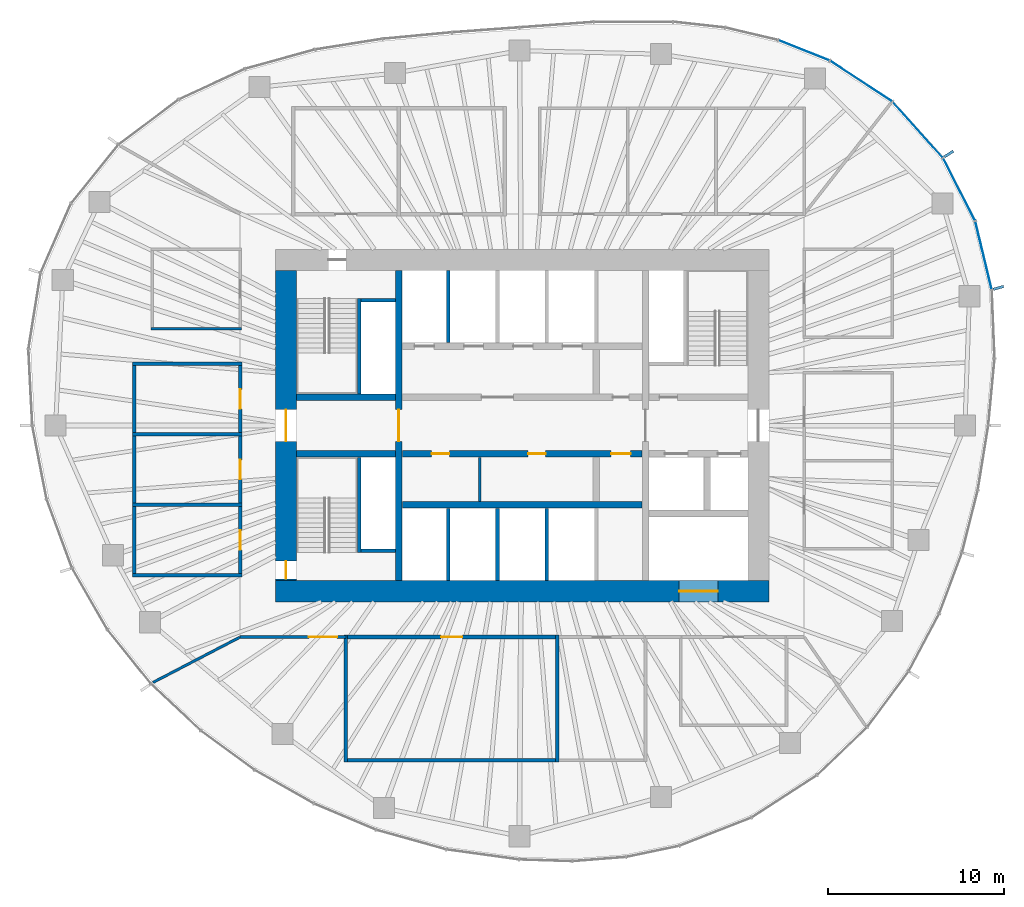
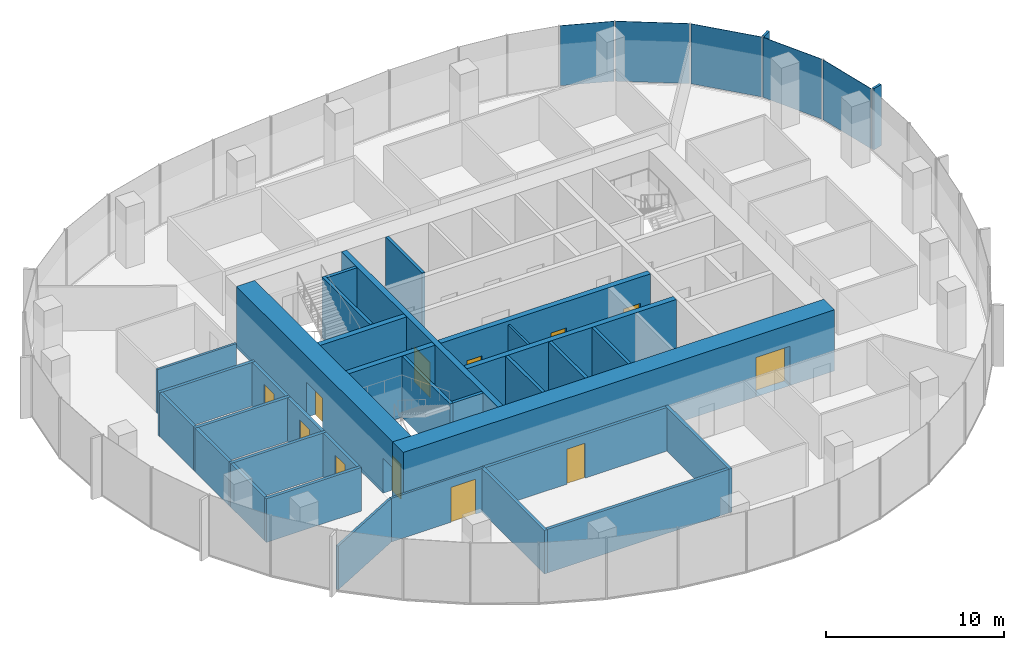
# One storey, part 8 of 11: 33 walls, 12 doors, 7 plates, 12 openings, 3 elements without a shape of their own.
"""IFC4 building model written with IfcOpenShell, lengths in metres."""

from ifc_helpers import new_model, si_unit, direction, frame, frame_2d, origin, origin_2d, place, context, subcontext, project, spatial, rectangle, extrude, material, layer, layer_set, type_object, element, fill, aggregate, save


model = new_model("IFC4")

# Units and contexts
model_context = context("Model", 3, precision=1e-05, world=origin(), true_north=direction((0.0, 1.0)))
body_context = subcontext(model_context, "Body", "Model", "MODEL_VIEW")
ifc_project = project(units=[si_unit("LENGTHUNIT", "METRE"), si_unit("AREAUNIT", "SQUARE_METRE"), si_unit("VOLUMEUNIT", "CUBIC_METRE"), si_unit("PLANEANGLEUNIT", "RADIAN"), si_unit("MASSUNIT", "GRAM", prefix="KILO")], contexts=[model_context])

# Site, building, storey
site_placement = place(None, origin())
site = spatial("IfcSite", under=ifc_project, at=site_placement, CompositionType="ELEMENT")
building_placement = place(site_placement, origin())
building = spatial("IfcBuilding", under=site, at=building_placement, Name="Ghaith Harvest Tower", CompositionType="ELEMENT")
storey_placement = place(building_placement, frame((0.0, 0.0, 245.199951171875)))
storey = spatial("IfcBuildingStorey", under=building, at=storey_placement, Name="L54", CompositionType="ELEMENT", Elevation=245.199951171875)

# Curtain wall, plates
ifc_material_1 = material(Name="Black anodised aluminium and fritted glass", Category="aluminium")
curtain_wall_type = type_object("IfcCurtainWallType", Name="CW-H CURTAIN WALL", PredefinedType="NOTDEFINED", material=ifc_material_1)
curtain_wall_1_placement = place(storey_placement, origin())
curtain_wall_1 = element("IfcCurtainWall", 1, at=curtain_wall_1_placement, inside=storey, type_object=curtain_wall_type, Name="Curtain wall CW-H bay 02 L54", PredefinedType="NOTDEFINED")
ifc_material_2 = material(Name="Glass, dark solar-control fritted double glazed unit", Category="glass")
ifc_layer_1 = layer(ifc_material_2, 0.030029296875)
ifc_layer_set_1 = layer_set([ifc_layer_1], Name="CW-H VISION PANEL")
plate_type_1 = type_object("IfcPlateType", Name="CW-H VISION PANEL", PredefinedType="CURTAIN_PANEL", material=ifc_layer_set_1)
plate_1_placement = place(storey_placement, frame((26.1767578125, 9.6533203125, 0.080078125), z_axis=(0.0, 0.0, 1.0), x_axis=(-0.233894000303, 0.972262102842, 0.0)))
plate_1 = element("IfcPlate", 2, at=plate_1_placement, type_object=plate_type_1, Name="CW-H glass unit 1 bay 02 L54", PredefinedType="CURTAIN_PANEL", context=body_context, shape_type="SweptSolid", body=[
    extrude(rectangle(XDim=3.935546875, YDim=0.030029296875, at=origin_2d()), origin(), (0.0, 0.0, 1.0), 4.1201171875),
])
plate_2_placement = place(storey_placement, frame((24.790771484375, 13.399658203125, 0.080078125), z_axis=(0.0, 0.0, 1.0), x_axis=(-0.454915320985, 0.890534699342, 0.0)))
plate_2 = element("IfcPlate", 3, at=plate_2_placement, type_object=plate_type_1, Name="CW-H glass unit 2 bay 02 L54", PredefinedType="CURTAIN_PANEL", context=body_context, shape_type="SweptSolid", body=[
    extrude(rectangle(XDim=3.949462890625, YDim=0.030029296875, at=origin_2d()), origin(), (0.0, 0.0, 1.0), 4.1201171875),
])
aggregate(curtain_wall_1, [plate_1, plate_2])

curtain_wall_2_placement = place(storey_placement, origin())
curtain_wall_2 = element("IfcCurtainWall", 4, at=curtain_wall_2_placement, inside=storey, type_object=curtain_wall_type, Name="Curtain wall CW-H bay 03 L54", PredefinedType="NOTDEFINED")
plate_3_placement = place(storey_placement, frame((22.44384765625, 16.783935546875, 0.080078125), z_axis=(0.0, 0.0, 1.0), x_axis=(-0.668757736889, 0.743480389352, 0.0)))
plate_3 = element("IfcPlate", 5, at=plate_3_placement, type_object=plate_type_1, Name="CW-H glass unit 1 bay 03 L54", PredefinedType="CURTAIN_PANEL", context=body_context, shape_type="SweptSolid", body=[
    extrude(rectangle(XDim=4.19775390625, YDim=0.030029296875, at=origin_2d()), origin(), (0.0, 0.0, 1.0), 4.1201171875),
])
plate_4_placement = place(storey_placement, frame((19.236328125, 19.539306640625, 0.080078125), z_axis=(0.0, 0.0, 1.0), x_axis=(-0.836276741583, 0.548307588392, 0.0)))
plate_4 = element("IfcPlate", 6, at=plate_4_placement, type_object=plate_type_1, Name="CW-H glass unit 2 bay 03 L54", PredefinedType="CURTAIN_PANEL", context=body_context, shape_type="SweptSolid", body=[
    extrude(rectangle(XDim=4.169677734375, YDim=0.030029296875, at=origin_2d()), origin(), (0.0, 0.0, 1.0), 4.1201171875),
])
aggregate(curtain_wall_2, [plate_3, plate_4])

# Curtain wall, plate
curtain_wall_3_placement = place(storey_placement, origin())
curtain_wall_3 = element("IfcCurtainWall", 7, at=curtain_wall_3_placement, inside=storey, type_object=curtain_wall_type, Name="Curtain wall CW-H bay 04 L54", PredefinedType="NOTDEFINED")
plate_5_placement = place(storey_placement, frame((15.993408203125, 21.287841796875, 0.080078125), z_axis=(0.0, 0.0, 1.0), x_axis=(-0.929107322045, 0.369810200133, 0.0)))
plate_5 = element("IfcPlate", 8, at=plate_5_placement, type_object=plate_type_1, Name="CW-H glass unit 1 bay 04 L54", PredefinedType="CURTAIN_PANEL", context=body_context, shape_type="SweptSolid", body=[
    extrude(rectangle(XDim=3.075927734375, YDim=0.030029296875, at=origin_2d()), origin(), (0.0, 0.0, 1.0), 4.1201171875),
])
aggregate(curtain_wall_3, [plate_5])

# Plates
ifc_material_3 = material(Name="Glassfibre-reinforced concrete", Category="concrete")
ifc_layer_2 = layer(ifc_material_3, 0.14990234375)
ifc_layer_set_2 = layer_set([ifc_layer_2], Name="SUN-BREAKER FIN 600x150")
plate_type_2 = type_object("IfcPlateType", Name="SUN-BREAKER FIN 600x150", PredefinedType="USERDEFINED", material=ifc_layer_set_2)
for number, where, z_axis, x_axis, name in (
    (9, (27.03076171875, 7.8125, 0.0), (0.0, 0.0, 1.0), (0.960680349985, 0.277656739792, 0.0), "Sun-breaker fin CW-H 1 bay 02 L54"),
    (10, (24.211669921875, 15.408447265625, 0.0), (0.0, 0.0, 1.0), (0.843643971464, 0.536903016766, 0.0), "Sun-breaker fin CW-H 1 bay 03 L54"),
):
    element("IfcPlate", number, at=place(storey_placement, frame(where, z_axis=z_axis, x_axis=x_axis)), inside=storey, type_object=plate_type_2, Name=name, ObjectType="SUN-BREAKER FIN", PredefinedType="USERDEFINED", context=body_context, shape_type="SweptSolid", body=[
        extrude(rectangle(XDim=0.60009765625, YDim=0.14990234375, at=origin_2d()), origin(), (0.0, 0.0, 1.0), 4.199951171875),
    ])

# Walls
ifc_material_4 = material(Name="Twin-stud gypsum board, acoustic", Category="gypsum")
ifc_layer_3 = layer(ifc_material_4, 0.199951171875)
ifc_layer_set_3 = layer_set([ifc_layer_3], Name="ACOUSTIC PARTITION 200")
wall_type_1 = type_object("IfcWallType", Name="ACOUSTIC PARTITION 200", PredefinedType="PARTITIONING", material=ifc_layer_set_3)
for number, where, z_axis, x_axis, name in (
    (11, (-10.0, -11.89990234375, 0.0), (0.0, 0.0, 1.0), (0.0, -1.0, 0.0), "Partition L54 row S1 cross wall 1"),
    (12, (2.0, -11.89990234375, 0.0), (0.0, 0.0, 1.0), (0.0, -1.0, 0.0), "Partition L54 row S1 cross wall 2"),
):
    element("IfcWall", number, at=place(storey_placement, frame(where, z_axis=z_axis, x_axis=x_axis)), inside=storey, type_object=wall_type_1, Name=name, PredefinedType="PARTITIONING", context=body_context, shape_type="SweptSolid", body=[
        extrude(rectangle(XDim=7.2001953125, YDim=0.199951171875, at=frame_2d((3.60009765625, 0.0))), origin(), (0.0, 0.0, 1.0), 3.0),
    ])

# Wall, opening, door
wall_1_placement = place(storey_placement, frame((-9.89990234375, -12.0, 0.0), z_axis=(0.0, 0.0, 1.0), x_axis=(1.0, 0.0, 0.0)))
wall_1 = element("IfcWall", 13, at=wall_1_placement, inside=storey, type_object=wall_type_1, Name="Partition L54-01", PredefinedType="PARTITIONING", context=body_context, shape_type="SweptSolid", body=[
    extrude(rectangle(XDim=11.7998046875, YDim=0.199951171875, at=frame_2d((5.89990234375, 0.0))), origin(), (0.0, 0.0, 1.0), 3.0),
])
opening_1_placement = place(wall_1_placement, frame((5.300048828125, 0.0, 0.0)))
opening_1 = element("IfcOpeningElement", 14, at=opening_1_placement, cuts=wall_1, Name="Opening 54-020", PredefinedType="OPENING", context=body_context, shape_type="SweptSolid", body=[
    extrude(rectangle(XDim=1.199951171875, YDim=2.39990234375, at=frame_2d((0.60009765625, 1.199951171875))), frame((0.0, 0.10986328125, 0.0), z_axis=(0.0, -1.0, 0.0), x_axis=(1.0, 0.0, 0.0)), (0.0, 0.0, 1.0), 0.219970703125),
])
ifc_material_5 = material(Name="Timber door", Category="wood")
door_type_1 = type_object("IfcDoorType", Name="D11 GLAZED 1200x2400", OperationType="SINGLE_SWING_LEFT", PredefinedType="DOOR", material=ifc_material_5)
door_1_placement = place(opening_1_placement, origin())
door_1 = element("IfcDoor", 15, at=door_1_placement, inside=storey, type_object=door_type_1, Name="Photo studio door", OperationType="SINGLE_SWING_LEFT", OverallHeight=2.39990234375, OverallWidth=1.199951171875, PredefinedType="DOOR", context=body_context, shape_type="SweptSolid", body=[
    extrude(rectangle(XDim=1.199951171875, YDim=2.39990234375, at=frame_2d((0.60009765625, 1.199951171875))), frame((0.0, 0.02490234375, 0.0), z_axis=(0.0, -1.0, 0.0), x_axis=(1.0, 0.0, 0.0)), (0.0, 0.0, 1.0), 0.050048828125),
])
fill(opening_1, door_1)

# Walls
wall_2_placement = place(storey_placement, frame((-9.89990234375, -19.0, 0.0), z_axis=(0.0, 0.0, 1.0), x_axis=(1.0, 0.0, 0.0)))
element("IfcWall", 16, at=wall_2_placement, inside=storey, type_object=wall_type_1, Name="Partition L54-01", PredefinedType="PARTITIONING", context=body_context, shape_type="SweptSolid", body=[
    extrude(rectangle(XDim=11.7998046875, YDim=0.199951171875, at=frame_2d((5.89990234375, 0.0))), origin(), (0.0, 0.0, 1.0), 3.0),
])
for number, where, z_axis, x_axis, name in (
    (17, (-15.89990234375, -8.5, 0.0), (0.0, 0.0, 1.0), (-1.0, 0.0, 0.0), "Partition L54 row W2 cross wall 1"),
    (18, (-15.89990234375, -4.5, 0.0), (0.0, 0.0, 1.0), (-1.0, 0.0, 0.0), "Partition L54 row W2 cross wall 2"),
    (19, (-15.89990234375, -0.5, 0.0), (0.0, 0.0, 1.0), (-1.0, 0.0, 0.0), "Partition L54 row W2 cross wall 3"),
    (20, (-15.89990234375, 3.5, 0.0), (0.0, 0.0, 1.0), (-1.0, 0.0, 0.0), "Partition L54 row W2 cross wall 4"),
):
    element("IfcWall", number, at=place(storey_placement, frame(where, z_axis=z_axis, x_axis=x_axis)), inside=storey, type_object=wall_type_1, Name=name, PredefinedType="PARTITIONING", context=body_context, shape_type="SweptSolid", body=[
        extrude(rectangle(XDim=6.2001953125, YDim=0.199951171875, at=frame_2d((3.10009765625, 0.0))), origin(), (0.0, 0.0, 1.0), 3.0),
    ])

# Wall, opening, door
wall_3_placement = place(storey_placement, frame((-16.0, -8.39990234375, 0.0), z_axis=(0.0, 0.0, 1.0), x_axis=(0.0, 1.0, 0.0)))
wall_3 = element("IfcWall", 21, at=wall_3_placement, inside=storey, type_object=wall_type_1, Name="Partition L54-03", PredefinedType="PARTITIONING", context=body_context, shape_type="SweptSolid", body=[
    extrude(rectangle(XDim=3.7998046875, YDim=0.199951171875, at=frame_2d((1.89990234375, 0.0))), origin(), (0.0, 0.0, 1.0), 3.0),
])
opening_2_placement = place(wall_3_placement, frame((1.35009765625, 0.0, 0.0)))
opening_2 = element("IfcOpeningElement", 22, at=opening_2_placement, cuts=wall_3, Name="Opening 54-022", PredefinedType="OPENING", context=body_context, shape_type="SweptSolid", body=[
    extrude(rectangle(XDim=1.10009765625, YDim=2.300048828125, at=frame_2d((0.550048828125, 1.14990234375))), frame((0.0, 0.10986328125, 0.0), z_axis=(0.0, -1.0, 0.0), x_axis=(1.0, 0.0, 0.0)), (0.0, 0.0, 1.0), 0.219970703125),
])
ifc_material_6 = material(Name="Timber-framed glazed door", Category="wood")
door_type_2 = type_object("IfcDoorType", Name="D12 GLAZED OFFICE 1100x2300", OperationType="SINGLE_SWING_LEFT", PredefinedType="DOOR", material=ifc_material_6)
door_2_placement = place(opening_2_placement, origin())
door_2 = element("IfcDoor", 23, at=door_2_placement, inside=storey, type_object=door_type_2, Name="Editing room door", OperationType="SINGLE_SWING_LEFT", OverallHeight=2.300048828125, OverallWidth=1.10009765625, PredefinedType="DOOR", context=body_context, shape_type="SweptSolid", body=[
    extrude(rectangle(XDim=1.10009765625, YDim=2.300048828125, at=frame_2d((0.550048828125, 1.14990234375))), frame((0.0, 0.02490234375, 0.0), z_axis=(0.0, -1.0, 0.0), x_axis=(1.0, 0.0, 0.0)), (0.0, 0.0, 1.0), 0.050048828125),
])
fill(opening_2, door_2)

# Wall
wall_4_placement = place(storey_placement, frame((-22.0, -8.39990234375, 0.0), z_axis=(0.0, 0.0, 1.0), x_axis=(0.0, 1.0, 0.0)))
element("IfcWall", 24, at=wall_4_placement, inside=storey, type_object=wall_type_1, Name="Partition L54-03", PredefinedType="PARTITIONING", context=body_context, shape_type="SweptSolid", body=[
    extrude(rectangle(XDim=3.7998046875, YDim=0.199951171875, at=frame_2d((1.89990234375, 0.0))), origin(), (0.0, 0.0, 1.0), 3.0),
])

# Wall, opening, door
wall_5_placement = place(storey_placement, frame((-16.0, -4.39990234375, 0.0), z_axis=(0.0, 0.0, 1.0), x_axis=(0.0, 1.0, 0.0)))
wall_5 = element("IfcWall", 25, at=wall_5_placement, inside=storey, type_object=wall_type_1, Name="Partition L54-04", PredefinedType="PARTITIONING", context=body_context, shape_type="SweptSolid", body=[
    extrude(rectangle(XDim=3.7998046875, YDim=0.199951171875, at=frame_2d((1.89990234375, 0.0))), origin(), (0.0, 0.0, 1.0), 3.0),
])
opening_3_placement = place(wall_5_placement, frame((1.35009765625, 0.0, 0.0)))
opening_3 = element("IfcOpeningElement", 26, at=opening_3_placement, cuts=wall_5, Name="Opening 54-023", PredefinedType="OPENING", context=body_context, shape_type="SweptSolid", body=[
    extrude(rectangle(XDim=1.10009765625, YDim=2.300048828125, at=frame_2d((0.550048828125, 1.14990234375))), frame((0.0, 0.10986328125, 0.0), z_axis=(0.0, -1.0, 0.0), x_axis=(1.0, 0.0, 0.0)), (0.0, 0.0, 1.0), 0.219970703125),
])
door_3_placement = place(opening_3_placement, origin())
door_3 = element("IfcDoor", 27, at=door_3_placement, inside=storey, type_object=door_type_2, Name="Editing room door", OperationType="SINGLE_SWING_LEFT", OverallHeight=2.300048828125, OverallWidth=1.10009765625, PredefinedType="DOOR", context=body_context, shape_type="SweptSolid", body=[
    extrude(rectangle(XDim=1.10009765625, YDim=2.300048828125, at=frame_2d((0.550048828125, 1.14990234375))), frame((0.0, 0.02490234375, 0.0), z_axis=(0.0, -1.0, 0.0), x_axis=(1.0, 0.0, 0.0)), (0.0, 0.0, 1.0), 0.050048828125),
])
fill(opening_3, door_3)

# Wall
wall_6_placement = place(storey_placement, frame((-22.0, -4.39990234375, 0.0), z_axis=(0.0, 0.0, 1.0), x_axis=(0.0, 1.0, 0.0)))
element("IfcWall", 28, at=wall_6_placement, inside=storey, type_object=wall_type_1, Name="Partition L54-04", PredefinedType="PARTITIONING", context=body_context, shape_type="SweptSolid", body=[
    extrude(rectangle(XDim=3.7998046875, YDim=0.199951171875, at=frame_2d((1.89990234375, 0.0))), origin(), (0.0, 0.0, 1.0), 3.0),
])

# Wall, opening, door
wall_7_placement = place(storey_placement, frame((-16.0, -0.39990234375, 0.0), z_axis=(0.0, 0.0, 1.0), x_axis=(0.0, 1.0, 0.0)))
wall_7 = element("IfcWall", 29, at=wall_7_placement, inside=storey, type_object=wall_type_1, Name="Partition L54-05", PredefinedType="PARTITIONING", context=body_context, shape_type="SweptSolid", body=[
    extrude(rectangle(XDim=3.7998046875, YDim=0.199951171875, at=frame_2d((1.89990234375, 0.0))), origin(), (0.0, 0.0, 1.0), 3.0),
])
opening_4_placement = place(wall_7_placement, frame((1.35009765625, 0.0, 0.0)))
opening_4 = element("IfcOpeningElement", 30, at=opening_4_placement, cuts=wall_7, Name="Opening 54-024", PredefinedType="OPENING", context=body_context, shape_type="SweptSolid", body=[
    extrude(rectangle(XDim=1.10009765625, YDim=2.300048828125, at=frame_2d((0.550048828125, 1.14990234375))), frame((0.0, 0.10986328125, 0.0), z_axis=(0.0, -1.0, 0.0), x_axis=(1.0, 0.0, 0.0)), (0.0, 0.0, 1.0), 0.219970703125),
])
door_4_placement = place(opening_4_placement, origin())
door_4 = element("IfcDoor", 31, at=door_4_placement, inside=storey, type_object=door_type_2, Name="Editing room door", OperationType="SINGLE_SWING_LEFT", OverallHeight=2.300048828125, OverallWidth=1.10009765625, PredefinedType="DOOR", context=body_context, shape_type="SweptSolid", body=[
    extrude(rectangle(XDim=1.10009765625, YDim=2.300048828125, at=frame_2d((0.550048828125, 1.14990234375))), frame((0.0, 0.02490234375, 0.0), z_axis=(0.0, -1.0, 0.0), x_axis=(1.0, 0.0, 0.0)), (0.0, 0.0, 1.0), 0.050048828125),
])
fill(opening_4, door_4)

# Walls
wall_8_placement = place(storey_placement, frame((-22.0, -0.39990234375, 0.0), z_axis=(0.0, 0.0, 1.0), x_axis=(0.0, 1.0, 0.0)))
element("IfcWall", 32, at=wall_8_placement, inside=storey, type_object=wall_type_1, Name="Partition L54-05", PredefinedType="PARTITIONING", context=body_context, shape_type="SweptSolid", body=[
    extrude(rectangle(XDim=3.7998046875, YDim=0.199951171875, at=frame_2d((1.89990234375, 0.0))), origin(), (0.0, 0.0, 1.0), 3.0),
])
ifc_material_7 = material(Name="Concrete blockwork, fair-faced", Category="masonry")
ifc_layer_4 = layer(ifc_material_7, 0.139892578125)
ifc_layer_set_4 = layer_set([ifc_layer_4], Name="CORE PARTITION 140")
wall_type_2 = type_object("IfcWallType", Name="CORE PARTITION 140", PredefinedType="PARTITIONING", material=ifc_layer_set_4)
wall_9_placement = place(storey_placement, frame((-2.39990234375, -1.800048828125, 0.0), z_axis=(0.0, 0.0, 1.0), x_axis=(0.0, -1.0, 0.0)))
element("IfcWall", 33, at=wall_9_placement, inside=storey, type_object=wall_type_2, Name="Core partition L54", PredefinedType="PARTITIONING", context=body_context, shape_type="SweptSolid", body=[
    extrude(rectangle(XDim=2.5, YDim=0.139892578125, at=frame_2d((1.25, 0.0))), origin(), (0.0, 0.0, 1.0), 3.949951171875),
])

# Wall, opening, door
ifc_material_8 = material(Name="Concrete C60/75", Category="concrete")
ifc_layer_5 = layer(ifc_material_8, 1.199951171875)
ifc_layer_set_5 = layer_set([ifc_layer_5], Name="CORE WALL CW1200 C60")
wall_type_3 = type_object("IfcWallType", Name="CORE WALL CW1200 C60", PredefinedType="SHEAR", material=ifc_layer_set_5)
wall_10_placement = place(storey_placement, frame((-14.0, -9.39990234375, 0.0), z_axis=(0.0, 0.0, 1.0), x_axis=(1.0, 0.0, 0.0)))
wall_10 = element("IfcWall", 34, at=wall_10_placement, inside=storey, type_object=wall_type_3, Name="Core wall S L54", PredefinedType="SHEAR", context=body_context, shape_type="SweptSolid", body=[
    extrude(rectangle(XDim=28.0, YDim=1.199951171875, at=frame_2d((14.0, 0.0))), origin(), (0.0, 0.0, 1.0), 4.199951171875),
])
opening_5_placement = place(wall_10_placement, frame((22.89990234375, 0.0, 0.0)))
opening_5 = element("IfcOpeningElement", 35, at=opening_5_placement, cuts=wall_10, Name="Opening 54-019", PredefinedType="OPENING", context=body_context, shape_type="SweptSolid", body=[
    extrude(rectangle(XDim=2.199951171875, YDim=2.699951171875, at=frame_2d((1.10009765625, 1.35009765625))), frame((0.0, 0.60986328125, 0.0), z_axis=(0.0, -1.0, 0.0), x_axis=(1.0, 0.0, 0.0)), (0.0, 0.0, 1.0), 1.219970703125),
])
ifc_material_9 = material(Name="Steel fire door", Category="steel")
door_type_3 = type_object("IfcDoorType", Name="LD3 LANDING 2200x2700", OperationType="DOUBLE_DOOR_SLIDING", PredefinedType="DOOR", material=ifc_material_9)
door_5_placement = place(opening_5_placement, origin())
door_5 = element("IfcDoor", 36, at=door_5_placement, inside=storey, type_object=door_type_3, Name="Landing door, goods lift GL1", OperationType="DOUBLE_DOOR_SLIDING", OverallHeight=2.699951171875, OverallWidth=2.199951171875, PredefinedType="DOOR", context=body_context, shape_type="SweptSolid", body=[
    extrude(rectangle(XDim=2.199951171875, YDim=2.699951171875, at=frame_2d((1.10009765625, 1.35009765625))), frame((0.0, 0.02490234375, 0.0), z_axis=(0.0, -1.0, 0.0), x_axis=(1.0, 0.0, 0.0)), (0.0, 0.0, 1.0), 0.050048828125),
])
fill(opening_5, door_5)

# Wall, openings, doors
wall_11_placement = place(storey_placement, frame((-13.39990234375, 8.800048828125, 0.0), z_axis=(0.0, 0.0, 1.0), x_axis=(0.0, -1.0, 0.0)))
wall_11 = element("IfcWall", 37, at=wall_11_placement, inside=storey, type_object=wall_type_3, Name="Core wall W L54", PredefinedType="SHEAR", context=body_context, shape_type="SweptSolid", body=[
    extrude(rectangle(XDim=17.60009765625, YDim=1.199951171875, at=frame_2d((8.800048828125, 0.0))), origin(), (0.0, 0.0, 1.0), 4.199951171875),
])
opening_6_placement = place(wall_11_placement, frame((7.89990234375, 0.0, 0.0)))
opening_6 = element("IfcOpeningElement", 38, at=opening_6_placement, cuts=wall_11, Name="Opening 54-001", PredefinedType="OPENING", context=body_context, shape_type="SweptSolid", body=[
    extrude(rectangle(XDim=1.800048828125, YDim=2.39990234375, at=frame_2d((0.89990234375, 1.199951171875))), frame((0.0, 0.60986328125, 0.0), z_axis=(0.0, -1.0, 0.0), x_axis=(1.0, 0.0, 0.0)), (0.0, 0.0, 1.0), 1.219970703125),
])
opening_7_placement = place(wall_11_placement, frame((16.5, 0.0, 0.0)))
opening_7 = element("IfcOpeningElement", 39, at=opening_7_placement, cuts=wall_11, Name="Opening 54-006", PredefinedType="OPENING", context=body_context, shape_type="SweptSolid", body=[
    extrude(rectangle(XDim=1.0, YDim=2.39990234375, at=frame_2d((0.5, 1.199951171875))), frame((0.0, 0.60986328125, 0.0), z_axis=(0.0, -1.0, 0.0), x_axis=(1.0, 0.0, 0.0)), (0.0, 0.0, 1.0), 1.219970703125),
])
ifc_material_10 = material(Name="Steel fire door", Category="steel")
door_type_4 = type_object("IfcDoorType", Name="D3 FD90 1000x2400", OperationType="SINGLE_SWING_LEFT", PredefinedType="DOOR", material=ifc_material_10)
door_6_placement = place(opening_7_placement, origin())
door_6 = element("IfcDoor", 40, at=door_6_placement, inside=storey, type_object=door_type_4, Name="Stair ST3 door", OperationType="SINGLE_SWING_RIGHT", OverallHeight=2.39990234375, OverallWidth=1.0, PredefinedType="DOOR", context=body_context, shape_type="SweptSolid", body=[
    extrude(rectangle(XDim=1.0, YDim=2.39990234375, at=frame_2d((0.5, 1.199951171875))), frame((0.0, 0.02490234375, 0.0), z_axis=(0.0, -1.0, 0.0), x_axis=(1.0, 0.0, 0.0)), (0.0, 0.0, 1.0), 0.050048828125),
])
fill(opening_7, door_6)
ifc_material_11 = material(Name="Steel fire door", Category="steel")
door_type_5 = type_object("IfcDoorType", Name="D4 FD90 PAIR 1800x2400", OperationType="DOUBLE_DOOR_SINGLE_SWING", PredefinedType="DOOR", material=ifc_material_11)
door_7_placement = place(opening_6_placement, origin())
door_7 = element("IfcDoor", 41, at=door_7_placement, inside=storey, type_object=door_type_5, Name="West lobby doors", OperationType="DOUBLE_DOOR_SINGLE_SWING", OverallHeight=2.39990234375, OverallWidth=1.800048828125, PredefinedType="DOOR", context=body_context, shape_type="SweptSolid", body=[
    extrude(rectangle(XDim=1.800048828125, YDim=2.39990234375, at=frame_2d((0.89990234375, 1.199951171875))), frame((0.0, 0.02490234375, 0.0), z_axis=(0.0, -1.0, 0.0), x_axis=(1.0, 0.0, 0.0)), (0.0, 0.0, 1.0), 0.050048828125),
])
fill(opening_6, door_7)

# Walls
ifc_material_12 = material(Name="Concrete blockwork, 2-hour", Category="masonry")
ifc_layer_6 = layer(ifc_material_12, 0.199951171875)
ifc_layer_set_6 = layer_set([ifc_layer_6], Name="LIFT SHAFT WALL 200")
wall_type_4 = type_object("IfcWallType", Name="LIFT SHAFT WALL 200", PredefinedType="PARTITIONING", material=ifc_layer_set_6)
for number, where, z_axis, x_axis, name in (
    (42, (-4.199951171875, 4.699951171875, 0.0), (0.0, 0.0, 1.0), (0.0, 1.0, 0.0), "Lift shaft wall L54"),
    (43, (-4.199951171875, -4.699951171875, 0.0), (0.0, 0.0, 1.0), (0.0, -1.0, 0.0), "Lift shaft wall L54"),
    (44, (-1.39990234375, -4.699951171875, 0.0), (0.0, 0.0, 1.0), (0.0, -1.0, 0.0), "Lift shaft wall L54"),
    (45, (1.39990234375, -4.699951171875, 0.0), (0.0, 0.0, 1.0), (0.0, -1.0, 0.0), "Lift shaft wall L54"),
):
    element("IfcWall", number, at=place(storey_placement, frame(where, z_axis=z_axis, x_axis=x_axis)), inside=storey, type_object=wall_type_4, Name=name, PredefinedType="PARTITIONING", context=body_context, shape_type="SweptSolid", body=[
        extrude(rectangle(XDim=4.10009765625, YDim=0.199951171875, at=frame_2d((2.050048828125, 0.0))), origin(), (0.0, 0.0, 1.0), 4.199951171875),
    ])
ifc_material_13 = material(Name="Gypsum board on steel studs", Category="steel")
ifc_layer_7 = layer(ifc_material_13, 0.14990234375)
ifc_layer_set_7 = layer_set([ifc_layer_7], Name="PARTITION 150")
wall_type_5 = type_object("IfcWallType", Name="PARTITION 150", PredefinedType="PARTITIONING", material=ifc_layer_set_7)
wall_12_placement = place(storey_placement, frame((-15.925048828125, 5.5, 0.0), z_axis=(0.0, 0.0, 1.0), x_axis=(-1.0, 0.0, 0.0)))
element("IfcWall", 46, at=wall_12_placement, inside=storey, type_object=wall_type_5, Name="Partition L54 row W8 cross wall 1", PredefinedType="PARTITIONING", context=body_context, shape_type="SweptSolid", body=[
    extrude(rectangle(XDim=5.14990234375, YDim=0.14990234375, at=frame_2d((2.574951171875, 0.0))), origin(), (0.0, 0.0, 1.0), 3.0),
])
wall_13_placement = place(storey_placement, frame((-16.017578125, -12.00927734375, 0.0), z_axis=(0.0, 0.0, 1.0), x_axis=(-0.886831549241, -0.462092851351, 0.0)))
element("IfcWall", 47, at=wall_13_placement, inside=storey, type_object=wall_type_5, Name="Partition L54 zone division", PredefinedType="PARTITIONING", context=body_context, shape_type="SweptSolid", body=[
    extrude(rectangle(XDim=5.555419921875, YDim=0.14990234375, at=frame_2d((2.77783203125, 0.0))), origin(), (0.0, 0.0, 1.0), 3.0),
])

# Wall, opening, door
wall_14_placement = place(storey_placement, frame((-16.0, -12.0, 0.0), z_axis=(0.0, 0.0, 1.0), x_axis=(1.0, 0.0, 0.0)))
wall_14 = element("IfcWall", 48, at=wall_14_placement, inside=storey, type_object=wall_type_5, Name="Partition L54 zone enclosure", PredefinedType="PARTITIONING", context=body_context, shape_type="SweptSolid", body=[
    extrude(rectangle(XDim=6.0, YDim=0.14990234375, at=frame_2d((3.0, 0.0))), origin(), (0.0, 0.0, 1.0), 3.0),
])
opening_8_placement = place(wall_14_placement, frame((3.89990234375, 0.0, 0.0)))
opening_8 = element("IfcOpeningElement", 49, at=opening_8_placement, cuts=wall_14, Name="Opening 54-035", PredefinedType="OPENING", context=body_context, shape_type="SweptSolid", body=[
    extrude(rectangle(XDim=1.60009765625, YDim=2.39990234375, at=frame_2d((0.800048828125, 1.199951171875))), frame((0.0, 0.0849609375, 0.0), z_axis=(0.0, -1.0, 0.0), x_axis=(1.0, 0.0, 0.0)), (0.0, 0.0, 1.0), 0.169921875),
])
ifc_material_14 = material(Name="Timber door", Category="wood")
door_type_6 = type_object("IfcDoorType", Name="D2 PAIR 1600x2400", OperationType="DOUBLE_DOOR_SINGLE_SWING", PredefinedType="DOOR", material=ifc_material_14)
door_8_placement = place(opening_8_placement, origin())
door_8 = element("IfcDoor", 50, at=door_8_placement, inside=storey, type_object=door_type_6, Name="Media workplace south door", OperationType="DOUBLE_DOOR_SINGLE_SWING", OverallHeight=2.39990234375, OverallWidth=1.60009765625, PredefinedType="DOOR", context=body_context, shape_type="SweptSolid", body=[
    extrude(rectangle(XDim=1.60009765625, YDim=2.39990234375, at=frame_2d((0.800048828125, 1.199951171875))), frame((0.0, 0.02490234375, 0.0), z_axis=(0.0, -1.0, 0.0), x_axis=(1.0, 0.0, 0.0)), (0.0, 0.0, 1.0), 0.050048828125),
])
fill(opening_8, door_8)

ifc_material_15 = material(Name="Concrete C60/75", Category="concrete")
ifc_layer_8 = layer(ifc_material_15, 0.35009765625)
ifc_layer_set_8 = layer_set([ifc_layer_8], Name="SHAFT WALL 350")
wall_type_6 = type_object("IfcWallType", Name="SHAFT WALL 350", PredefinedType="SHEAR", material=ifc_layer_set_8)
wall_15_placement = place(storey_placement, frame((-7.0, -8.800048828125, 0.0), z_axis=(0.0, 0.0, 1.0), x_axis=(0.0, 1.0, 0.0)))
wall_15 = element("IfcWall", 51, at=wall_15_placement, inside=storey, type_object=wall_type_6, Name="Shaft wall W7W L54", PredefinedType="SHEAR", context=body_context, shape_type="SweptSolid", body=[
    extrude(rectangle(XDim=17.60009765625, YDim=0.35009765625, at=frame_2d((8.800048828125, 0.0))), origin(), (0.0, 0.0, 1.0), 4.199951171875),
])
opening_9_placement = place(wall_15_placement, frame((7.89990234375, 0.0, 0.0)))
opening_9 = element("IfcOpeningElement", 52, at=opening_9_placement, cuts=wall_15, Name="Opening 54-003", PredefinedType="OPENING", context=body_context, shape_type="SweptSolid", body=[
    extrude(rectangle(XDim=1.800048828125, YDim=2.39990234375, at=frame_2d((0.89990234375, 1.199951171875))), frame((0.0, 0.18505859375, 0.0), z_axis=(0.0, -1.0, 0.0), x_axis=(1.0, 0.0, 0.0)), (0.0, 0.0, 1.0), 0.3701171875),
])
door_9_placement = place(opening_9_placement, origin())
door_9 = element("IfcDoor", 53, at=door_9_placement, inside=storey, type_object=door_type_5, Name="Lift lobby doors, west", OperationType="DOUBLE_DOOR_SINGLE_SWING", OverallHeight=2.39990234375, OverallWidth=1.800048828125, PredefinedType="DOOR", context=body_context, shape_type="SweptSolid", body=[
    extrude(rectangle(XDim=1.800048828125, YDim=2.39990234375, at=frame_2d((0.89990234375, 1.199951171875))), frame((0.0, 0.02490234375, 0.0), z_axis=(0.0, -1.0, 0.0), x_axis=(1.0, 0.0, 0.0)), (0.0, 0.0, 1.0), 0.050048828125),
])
fill(opening_9, door_9)

# Wall, openings, doors
wall_16_placement = place(storey_placement, frame((-6.800048828125, -1.60009765625, 0.0), z_axis=(0.0, 0.0, 1.0), x_axis=(1.0, 0.0, 0.0)))
wall_16 = element("IfcWall", 54, at=wall_16_placement, inside=storey, type_object=wall_type_6, Name="Shaft wall LS L54", PredefinedType="SHEAR", context=body_context, shape_type="SweptSolid", body=[
    extrude(rectangle(XDim=13.60009765625, YDim=0.35009765625, at=frame_2d((6.800048828125, 0.0))), origin(), (0.0, 0.0, 1.0), 4.199951171875),
])
opening_10_placement = place(wall_16_placement, frame((1.6650390625, 0.0, 0.0)))
opening_10 = element("IfcOpeningElement", 55, at=opening_10_placement, cuts=wall_16, Name="Opening 54-008", PredefinedType="OPENING", context=body_context, shape_type="SweptSolid", body=[
    extrude(rectangle(XDim=1.0, YDim=2.39990234375, at=frame_2d((0.5, 1.199951171875))), frame((0.0, 0.18505859375, 0.0), z_axis=(0.0, -1.0, 0.0), x_axis=(1.0, 0.0, 0.0)), (0.0, 0.0, 1.0), 0.3701171875),
])
opening_11_placement = place(wall_16_placement, frame((7.135009765625, 0.0, 0.0)))
opening_11 = element("IfcOpeningElement", 56, at=opening_11_placement, cuts=wall_16, Name="Opening 54-009", PredefinedType="OPENING", context=body_context, shape_type="SweptSolid", body=[
    extrude(rectangle(XDim=1.0, YDim=2.39990234375, at=frame_2d((0.5, 1.199951171875))), frame((0.0, 0.18505859375, 0.0), z_axis=(0.0, -1.0, 0.0), x_axis=(1.0, 0.0, 0.0)), (0.0, 0.0, 1.0), 0.3701171875),
])
opening_12_placement = place(wall_16_placement, frame((11.85009765625, 0.0, 0.0)))
opening_12 = element("IfcOpeningElement", 57, at=opening_12_placement, cuts=wall_16, Name="Opening 54-011", PredefinedType="OPENING", context=body_context, shape_type="SweptSolid", body=[
    extrude(rectangle(XDim=1.10009765625, YDim=2.39990234375, at=frame_2d((0.550048828125, 1.199951171875))), frame((0.0, 0.18505859375, 0.0), z_axis=(0.0, -1.0, 0.0), x_axis=(1.0, 0.0, 0.0)), (0.0, 0.0, 1.0), 0.3701171875),
])
door_10_placement = place(opening_10_placement, origin())
door_10 = element("IfcDoor", 58, at=door_10_placement, inside=storey, type_object=door_type_4, Name="Male WC door", OperationType="SINGLE_SWING_LEFT", OverallHeight=2.39990234375, OverallWidth=1.0, PredefinedType="DOOR", context=body_context, shape_type="SweptSolid", body=[
    extrude(rectangle(XDim=1.0, YDim=2.39990234375, at=frame_2d((0.5, 1.199951171875))), frame((0.0, 0.02490234375, 0.0), z_axis=(0.0, -1.0, 0.0), x_axis=(1.0, 0.0, 0.0)), (0.0, 0.0, 1.0), 0.050048828125),
])
fill(opening_10, door_10)
door_11_placement = place(opening_11_placement, origin())
door_11 = element("IfcDoor", 59, at=door_11_placement, inside=storey, type_object=door_type_4, Name="Female WC door", OperationType="SINGLE_SWING_RIGHT", OverallHeight=2.39990234375, OverallWidth=1.0, PredefinedType="DOOR", context=body_context, shape_type="SweptSolid", body=[
    extrude(rectangle(XDim=1.0, YDim=2.39990234375, at=frame_2d((0.5, 1.199951171875))), frame((0.0, 0.02490234375, 0.0), z_axis=(0.0, -1.0, 0.0), x_axis=(1.0, 0.0, 0.0)), (0.0, 0.0, 1.0), 0.050048828125),
])
fill(opening_11, door_11)
ifc_material_16 = material(Name="Steel fire door", Category="steel")
door_type_7 = type_object("IfcDoorType", Name="D9 FD90 1100x2400", OperationType="SINGLE_SWING_LEFT", PredefinedType="DOOR", material=ifc_material_16)
door_12_placement = place(opening_12_placement, origin())
door_12 = element("IfcDoor", 60, at=door_12_placement, inside=storey, type_object=door_type_7, Name="Accessible WC door", OperationType="SINGLE_SWING_RIGHT", OverallHeight=2.39990234375, OverallWidth=1.10009765625, PredefinedType="DOOR", context=body_context, shape_type="SweptSolid", body=[
    extrude(rectangle(XDim=1.10009765625, YDim=2.39990234375, at=frame_2d((0.550048828125, 1.199951171875))), frame((0.0, 0.02490234375, 0.0), z_axis=(0.0, -1.0, 0.0), x_axis=(1.0, 0.0, 0.0)), (0.0, 0.0, 1.0), 0.050048828125),
])
fill(opening_12, door_12)

# Walls
wall_17_placement = place(storey_placement, frame((-6.800048828125, -4.5, 0.0), z_axis=(0.0, 0.0, 1.0), x_axis=(1.0, 0.0, 0.0)))
element("IfcWall", 61, at=wall_17_placement, inside=storey, type_object=wall_type_6, Name="Shaft wall BS L54", PredefinedType="SHEAR", context=body_context, shape_type="SweptSolid", body=[
    extrude(rectangle(XDim=13.60009765625, YDim=0.35009765625, at=frame_2d((6.800048828125, 0.0))), origin(), (0.0, 0.0, 1.0), 4.199951171875),
])
for number, where, z_axis, x_axis, name in (
    (62, (-12.800048828125, 1.60009765625, 0.0), (0.0, 0.0, 1.0), (1.0, 0.0, 0.0), "Shaft wall WN L54"),
    (63, (-12.800048828125, -1.60009765625, 0.0), (0.0, 0.0, 1.0), (1.0, 0.0, 0.0), "Shaft wall WS L54"),
):
    element("IfcWall", number, at=place(storey_placement, frame(where, z_axis=z_axis, x_axis=x_axis)), inside=storey, type_object=wall_type_6, Name=name, PredefinedType="SHEAR", context=body_context, shape_type="SweptSolid", body=[
        extrude(rectangle(XDim=5.60009765625, YDim=0.35009765625, at=frame_2d((2.800048828125, 0.0))), origin(), (0.0, 0.0, 1.0), 4.199951171875),
    ])
ifc_material_17 = material(Name="Concrete C40/50", Category="concrete")
ifc_layer_9 = layer(ifc_material_17, 0.199951171875)
ifc_layer_set_9 = layer_set([ifc_layer_9], Name="STAIR SPINE WALL RC200")
wall_type_7 = type_object("IfcWallType", Name="STAIR SPINE WALL RC200", PredefinedType="SOLIDWALL", material=ifc_layer_set_9)
wall_18_placement = place(storey_placement, frame((-9.25, 7.199951171875, 0.0), z_axis=(0.0, 0.0, 1.0), x_axis=(0.0, -1.0, 0.0)))
element("IfcWall", 64, at=wall_18_placement, inside=storey, type_object=wall_type_7, Name="Stair ST1 spine wall L54", PredefinedType="SOLIDWALL", context=body_context, shape_type="SweptSolid", body=[
    extrude(rectangle(XDim=5.39990234375, YDim=0.199951171875, at=frame_2d((2.699951171875, 0.0))), origin(), (0.0, 0.0, 1.0), 4.199951171875),
])
wall_19_placement = place(storey_placement, frame((-9.14990234375, 7.10009765625, 0.0), z_axis=(0.0, 0.0, 1.0), x_axis=(1.0, 0.0, 0.0)))
element("IfcWall", 65, at=wall_19_placement, inside=storey, type_object=wall_type_7, Name="Stair ST1 spine wall return L54", PredefinedType="SOLIDWALL", context=body_context, shape_type="SweptSolid", body=[
    extrude(rectangle(XDim=1.949951171875, YDim=0.199951171875, at=frame_2d((0.97509765625, 0.0))), origin(), (0.0, 0.0, 1.0), 4.199951171875),
])
wall_20_placement = place(storey_placement, frame((-9.25, -7.199951171875, 0.0), z_axis=(0.0, 0.0, 1.0), x_axis=(0.0, 1.0, 0.0)))
element("IfcWall", 66, at=wall_20_placement, inside=storey, type_object=wall_type_7, Name="Stair ST3 spine wall L54", PredefinedType="SOLIDWALL", context=body_context, shape_type="SweptSolid", body=[
    extrude(rectangle(XDim=5.39990234375, YDim=0.199951171875, at=frame_2d((2.699951171875, 0.0))), origin(), (0.0, 0.0, 1.0), 4.199951171875),
])
wall_21_placement = place(storey_placement, frame((-9.14990234375, -7.10009765625, 0.0), z_axis=(0.0, 0.0, 1.0), x_axis=(1.0, 0.0, 0.0)))
element("IfcWall", 67, at=wall_21_placement, inside=storey, type_object=wall_type_7, Name="Stair ST3 spine wall return L54", PredefinedType="SOLIDWALL", context=body_context, shape_type="SweptSolid", body=[
    extrude(rectangle(XDim=1.949951171875, YDim=0.199951171875, at=frame_2d((0.97509765625, 0.0))), origin(), (0.0, 0.0, 1.0), 4.199951171875),
])

save(model, "model.ifc")
